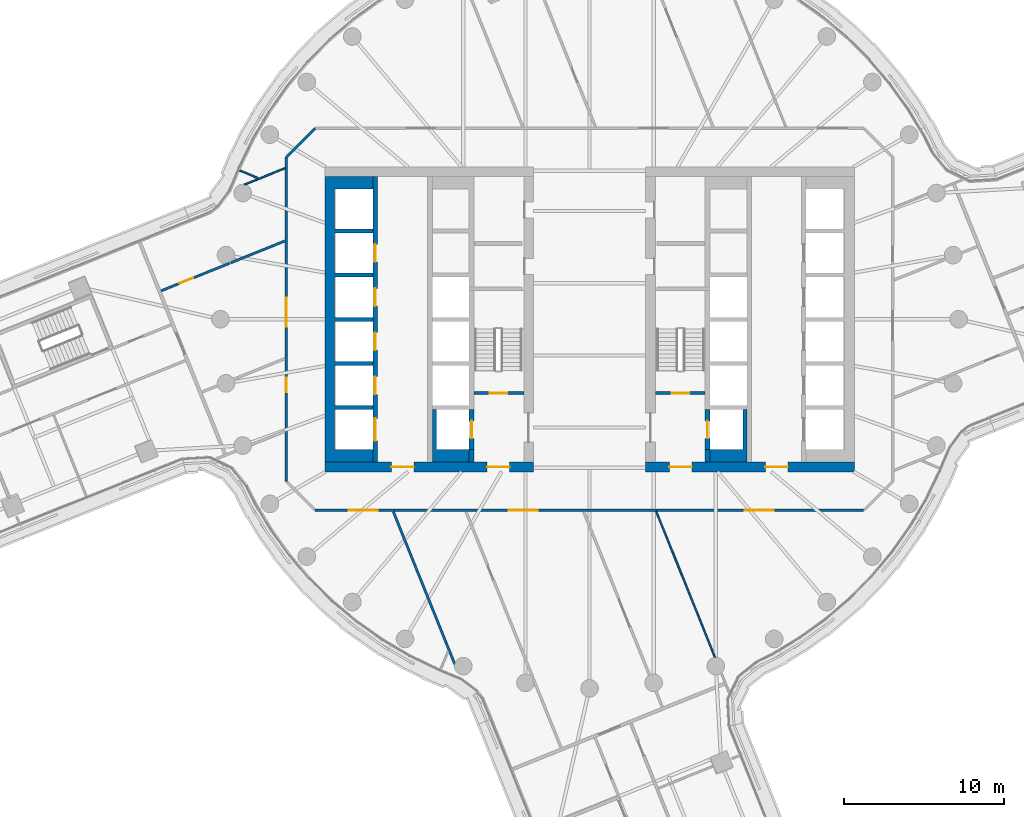
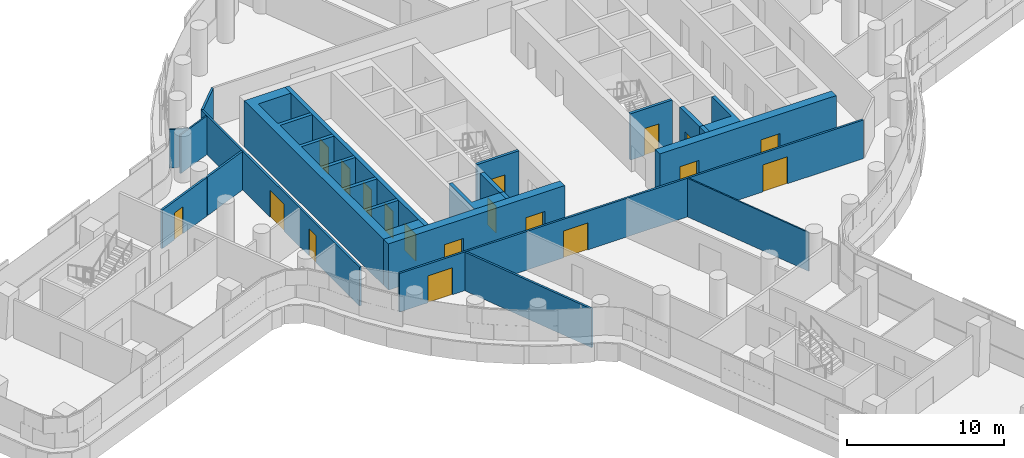
# One storey, part 21 of 32: 21 walls, 19 doors, 19 openings.
"""IFC4 building model written with IfcOpenShell, lengths in metres."""

from ifc_helpers import new_model, si_unit, direction, frame, frame_2d, origin, place, context, subcontext, project, spatial, polyline, rectangle, outline, extrude, material, layer, layer_set, type_object, element, fill, save


model = new_model("IFC4")

# Units and contexts
model_context = context("Model", 3, precision=1e-05, world=origin(), true_north=direction((0.0, 1.0)))
body_context = subcontext(model_context, "Body", "Model", "MODEL_VIEW")
ifc_project = project(units=[si_unit("LENGTHUNIT", "METRE"), si_unit("AREAUNIT", "SQUARE_METRE"), si_unit("VOLUMEUNIT", "CUBIC_METRE"), si_unit("PLANEANGLEUNIT", "RADIAN"), si_unit("MASSUNIT", "GRAM", prefix="KILO")], contexts=[model_context])

# Site, building, storey
site_placement = place(None, origin())
site = spatial("IfcSite", under=ifc_project, at=site_placement, CompositionType="ELEMENT")
building_placement = place(site_placement, origin())
building = spatial("IfcBuilding", under=site, at=building_placement, Name="Tamarind Cross Interchange Tower", CompositionType="ELEMENT")
storey_placement = place(building_placement, frame((0.0, 0.0, 113.5)))
storey = spatial("IfcBuildingStorey", under=building, at=storey_placement, Name="L27", CompositionType="ELEMENT", Elevation=113.5)

# Wall, openings, doors
ifc_material_1 = material(Name="Concrete C70", Category="concrete")
ifc_layer_1 = layer(ifc_material_1, 0.60009765625)
ifc_layer_set_1 = layer_set([ifc_layer_1], Name="Concrete C70")
wall_type_1 = type_object("IfcWallType", Name="Core wall 600 mm Concrete C70", PredefinedType="SHEAR", material=ifc_layer_set_1)
wall_1_placement = place(storey_placement, frame((-16.5, -9.199951171875, 0.0), z_axis=(0.0, 0.0, 1.0), x_axis=(1.0, 0.0, 0.0)))
wall_1 = element("IfcWall", 1, at=wall_1_placement, inside=storey, type_object=wall_type_1, Name="Core wall CWL-L27-W-S", PredefinedType="SHEAR", context=body_context, shape_type="SweptSolid", body=[
    extrude(rectangle(XDim=13.0, YDim=0.60009765625, at=frame_2d((6.5, 0.0))), origin(), (0.0, 0.0, 1.0), 3.610107421875),
])
opening_1_placement = place(wall_1_placement, frame((4.14990234375, 0.0, 0.0)))
opening_1 = element("IfcOpeningElement", 2, at=opening_1_placement, cuts=wall_1, Name="Opening DCW1", PredefinedType="OPENING", context=body_context, shape_type="SweptSolid", body=[
    extrude(rectangle(XDim=1.39990234375, YDim=2.10009765625, at=frame_2d((0.699951171875, 1.050048828125))), frame((0.0, 0.31005859375, 0.0), z_axis=(0.0, -1.0, 0.0), x_axis=(1.0, 0.0, 0.0)), (0.0, 0.0, 1.0), 0.6201171875),
])
opening_2_placement = place(wall_1_placement, frame((10.125, 0.0, 0.0)))
opening_2 = element("IfcOpeningElement", 3, at=opening_2_placement, cuts=wall_1, Name="Opening DCWF", PredefinedType="OPENING", context=body_context, shape_type="SweptSolid", body=[
    extrude(rectangle(XDim=1.39990234375, YDim=2.10009765625, at=frame_2d((0.699951171875, 1.050048828125))), frame((0.0, 0.31005859375, 0.0), z_axis=(0.0, -1.0, 0.0), x_axis=(1.0, 0.0, 0.0)), (0.0, 0.0, 1.0), 0.6201171875),
])
ifc_material_2 = material(Name="Steel, fire-resisting", Category="steel")
door_type_1 = type_object("IfcDoorType", Name="Core fire door 1400 x 2100 FD90", OperationType="SINGLE_SWING_LEFT", PredefinedType="DOOR", material=ifc_material_2)
door_1_placement = place(opening_1_placement, origin())
door_1 = element("IfcDoor", 4, at=door_1_placement, inside=storey, type_object=door_type_1, Name="L27 lift lobby door", OperationType="SINGLE_SWING_LEFT", OverallHeight=2.10009765625, OverallWidth=1.39990234375, PredefinedType="DOOR", context=body_context, shape_type="SweptSolid", body=[
    extrude(rectangle(XDim=1.39990234375, YDim=2.10009765625, at=frame_2d((0.699951171875, 1.050048828125))), frame((0.0, 0.02490234375, 0.0), z_axis=(0.0, -1.0, 0.0), x_axis=(1.0, 0.0, 0.0)), (0.0, 0.0, 1.0), 0.050048828125),
])
fill(opening_1, door_1)
door_2_placement = place(opening_2_placement, origin())
door_2 = element("IfcDoor", 5, at=door_2_placement, inside=storey, type_object=door_type_1, Name="L27 firefighting lobby end door", OperationType="SINGLE_SWING_LEFT", OverallHeight=2.10009765625, OverallWidth=1.39990234375, PredefinedType="DOOR", context=body_context, shape_type="SweptSolid", body=[
    extrude(rectangle(XDim=1.39990234375, YDim=2.10009765625, at=frame_2d((0.699951171875, 1.050048828125))), frame((0.0, 0.02490234375, 0.0), z_axis=(0.0, -1.0, 0.0), x_axis=(1.0, 0.0, 0.0)), (0.0, 0.0, 1.0), 0.050048828125),
])
fill(opening_2, door_2)

# Wall
wall_2_placement = place(storey_placement, origin())
element("IfcWall", 6, at=wall_2_placement, inside=storey, type_object=wall_type_1, Name="Core wall CWL-L27-W-A", PredefinedType="SHEAR", context=body_context, shape_type="SweptSolid", body=[
    extrude(outline(polyline([(-13.5, -8.89990234375), (-13.5, -8.125), (-15.89990234375, -8.125), (-15.89990234375, -5.625), (-13.5, -5.625), (-13.5, -5.375), (-15.89990234375, -5.375), (-15.89990234375, -2.875), (-13.5, -2.875), (-13.5, -2.625), (-15.89990234375, -2.625), (-15.89990234375, -0.125), (-13.5, -0.125), (-13.5, 0.125), (-15.89990234375, 0.125), (-15.89990234375, 2.625), (-13.5, 2.625), (-13.5, 2.875), (-15.89990234375, 2.875), (-15.89990234375, 5.375), (-13.5, 5.375), (-13.5, 5.625), (-15.89990234375, 5.625), (-15.89990234375, 8.125), (-13.5, 8.125), (-13.5, 8.89990234375), (-15.89990234375, 8.89990234375), (-16.5, 8.89990234375), (-16.5, -8.89990234375), (-15.89990234375, -8.89990234375), (-13.5, -8.89990234375)])), origin(), (0.0, 0.0, 1.0), 3.610107421875),
])

# Wall, openings, doors
wall_3_placement = place(storey_placement, frame((16.5, -9.199951171875, 0.0), z_axis=(0.0, 0.0, 1.0), x_axis=(-1.0, 0.0, 0.0)))
wall_3 = element("IfcWall", 7, at=wall_3_placement, inside=storey, type_object=wall_type_1, Name="Core wall CWL-L27-E-S", PredefinedType="SHEAR", context=body_context, shape_type="SweptSolid", body=[
    extrude(rectangle(XDim=13.0, YDim=0.60009765625, at=frame_2d((6.5, 0.0))), origin(), (0.0, 0.0, 1.0), 3.610107421875),
])
opening_3_placement = place(wall_3_placement, frame((4.14990234375, 0.0, 0.0)))
opening_3 = element("IfcOpeningElement", 8, at=opening_3_placement, cuts=wall_3, Name="Opening DCE1", PredefinedType="OPENING", context=body_context, shape_type="SweptSolid", body=[
    extrude(rectangle(XDim=1.39990234375, YDim=2.10009765625, at=frame_2d((0.699951171875, 1.050048828125))), frame((0.0, 0.31005859375, 0.0), z_axis=(0.0, -1.0, 0.0), x_axis=(1.0, 0.0, 0.0)), (0.0, 0.0, 1.0), 0.6201171875),
])
opening_4_placement = place(wall_3_placement, frame((10.125, 0.0, 0.0)))
opening_4 = element("IfcOpeningElement", 9, at=opening_4_placement, cuts=wall_3, Name="Opening DCEF", PredefinedType="OPENING", context=body_context, shape_type="SweptSolid", body=[
    extrude(rectangle(XDim=1.39990234375, YDim=2.10009765625, at=frame_2d((0.699951171875, 1.050048828125))), frame((0.0, 0.31005859375, 0.0), z_axis=(0.0, -1.0, 0.0), x_axis=(1.0, 0.0, 0.0)), (0.0, 0.0, 1.0), 0.6201171875),
])
door_3_placement = place(opening_3_placement, origin())
door_3 = element("IfcDoor", 10, at=door_3_placement, inside=storey, type_object=door_type_1, Name="L27 lift lobby door", OperationType="SINGLE_SWING_LEFT", OverallHeight=2.10009765625, OverallWidth=1.39990234375, PredefinedType="DOOR", context=body_context, shape_type="SweptSolid", body=[
    extrude(rectangle(XDim=1.39990234375, YDim=2.10009765625, at=frame_2d((0.699951171875, 1.050048828125))), frame((0.0, 0.02490234375, 0.0), z_axis=(0.0, -1.0, 0.0), x_axis=(1.0, 0.0, 0.0)), (0.0, 0.0, 1.0), 0.050048828125),
])
fill(opening_3, door_3)
door_4_placement = place(opening_4_placement, origin())
door_4 = element("IfcDoor", 11, at=door_4_placement, inside=storey, type_object=door_type_1, Name="L27 firefighting lobby end door", OperationType="SINGLE_SWING_LEFT", OverallHeight=2.10009765625, OverallWidth=1.39990234375, PredefinedType="DOOR", context=body_context, shape_type="SweptSolid", body=[
    extrude(rectangle(XDim=1.39990234375, YDim=2.10009765625, at=frame_2d((0.699951171875, 1.050048828125))), frame((0.0, 0.02490234375, 0.0), z_axis=(0.0, -1.0, 0.0), x_axis=(1.0, 0.0, 0.0)), (0.0, 0.0, 1.0), 0.050048828125),
])
fill(opening_4, door_4)

# Walls
ifc_layer_2 = layer(ifc_material_1, 0.300048828125)
ifc_layer_set_2 = layer_set([ifc_layer_2], Name="Concrete C70")
wall_type_2 = type_object("IfcWallType", Name="Core web wall 300 mm Concrete C70", PredefinedType="SHEAR", material=ifc_layer_set_2)
wall_4_placement = place(storey_placement, origin())
element("IfcWall", 12, at=wall_4_placement, inside=storey, type_object=wall_type_2, Name="Core wall CWL-L27-W-BS", PredefinedType="SHEAR", context=body_context, shape_type="SweptSolid", body=[
    extrude(outline(polyline([(-7.5, -8.125), (-9.550048828125, -8.125), (-9.550048828125, -5.625), (-9.800048828125, -5.625), (-9.800048828125, -8.125), (-9.800048828125, -8.89990234375), (-7.5, -8.89990234375), (-7.5, -8.125)])), origin(), (0.0, 0.0, 1.0), 3.610107421875),
])
wall_5_placement = place(storey_placement, frame((-7.35009765625, -8.89990234375, 0.0), z_axis=(0.0, 0.0, 1.0), x_axis=(0.0, 1.0, 0.0)))
element("IfcWall", 13, at=wall_5_placement, inside=storey, type_object=wall_type_2, Name="Core wall CWL-L27-W-BW", PredefinedType="SHEAR", context=body_context, shape_type="SweptSolid", body=[
    extrude(rectangle(XDim=0.77490234375, YDim=0.300048828125, at=frame_2d((0.387451171875, 0.0))), origin(), (0.0, 0.0, 1.0), 3.610107421875),
])

# Wall, openings, doors
wall_6_placement = place(storey_placement, frame((-13.35009765625, -8.89990234375, 0.0), z_axis=(0.0, 0.0, 1.0), x_axis=(0.0, 1.0, 0.0)))
wall_6 = element("IfcWall", 14, at=wall_6_placement, inside=storey, type_object=wall_type_2, Name="Core wall CWL-L27-W-LA", PredefinedType="SHEAR", context=body_context, shape_type="SweptSolid", body=[
    extrude(rectangle(XDim=17.7998046875, YDim=0.300048828125, at=frame_2d((8.89990234375, 0.0))), origin(), (0.0, 0.0, 1.0), 3.610107421875),
])
opening_5_placement = place(wall_6_placement, frame((1.324951171875, 0.0, 0.0)))
opening_5 = element("IfcOpeningElement", 15, at=opening_5_placement, cuts=wall_6, Name="Opening LD1L27", PredefinedType="OPENING", context=body_context, shape_type="SweptSolid", body=[
    extrude(rectangle(XDim=1.39990234375, YDim=2.10009765625, at=frame_2d((0.699951171875, 1.050048828125))), frame((0.0, 0.159912109375, 0.0), z_axis=(0.0, -1.0, 0.0), x_axis=(1.0, 0.0, 0.0)), (0.0, 0.0, 1.0), 0.320068359375),
])
opening_6_placement = place(wall_6_placement, frame((4.22509765625, 0.0, 0.0)))
opening_6 = element("IfcOpeningElement", 16, at=opening_6_placement, cuts=wall_6, Name="Opening LD2L27", PredefinedType="OPENING", context=body_context, shape_type="SweptSolid", body=[
    extrude(rectangle(XDim=1.10009765625, YDim=2.10009765625, at=frame_2d((0.550048828125, 1.050048828125))), frame((0.0, 0.159912109375, 0.0), z_axis=(0.0, -1.0, 0.0), x_axis=(1.0, 0.0, 0.0)), (0.0, 0.0, 1.0), 0.320068359375),
])
opening_7_placement = place(wall_6_placement, frame((6.97509765625, 0.0, 0.0)))
opening_7 = element("IfcOpeningElement", 17, at=opening_7_placement, cuts=wall_6, Name="Opening LD3L27", PredefinedType="OPENING", context=body_context, shape_type="SweptSolid", body=[
    extrude(rectangle(XDim=1.10009765625, YDim=2.10009765625, at=frame_2d((0.550048828125, 1.050048828125))), frame((0.0, 0.159912109375, 0.0), z_axis=(0.0, -1.0, 0.0), x_axis=(1.0, 0.0, 0.0)), (0.0, 0.0, 1.0), 0.320068359375),
])
opening_8_placement = place(wall_6_placement, frame((9.72509765625, 0.0, 0.0)))
opening_8 = element("IfcOpeningElement", 18, at=opening_8_placement, cuts=wall_6, Name="Opening LD4L27", PredefinedType="OPENING", context=body_context, shape_type="SweptSolid", body=[
    extrude(rectangle(XDim=1.10009765625, YDim=2.10009765625, at=frame_2d((0.550048828125, 1.050048828125))), frame((0.0, 0.159912109375, 0.0), z_axis=(0.0, -1.0, 0.0), x_axis=(1.0, 0.0, 0.0)), (0.0, 0.0, 1.0), 0.320068359375),
])
opening_9_placement = place(wall_6_placement, frame((12.47509765625, 0.0, 0.0)))
opening_9 = element("IfcOpeningElement", 19, at=opening_9_placement, cuts=wall_6, Name="Opening LD5L27", PredefinedType="OPENING", context=body_context, shape_type="SweptSolid", body=[
    extrude(rectangle(XDim=1.10009765625, YDim=2.10009765625, at=frame_2d((0.550048828125, 1.050048828125))), frame((0.0, 0.159912109375, 0.0), z_axis=(0.0, -1.0, 0.0), x_axis=(1.0, 0.0, 0.0)), (0.0, 0.0, 1.0), 0.320068359375),
])
ifc_material_3 = material(Name="Stainless steel panel", Category="steel")
door_type_2 = type_object("IfcDoorType", Name="Lift landing door 1100 x 2100 E 120", OperationType="SLIDING_TO_LEFT", PredefinedType="DOOR", material=ifc_material_3)
door_5_placement = place(opening_6_placement, origin())
door_5 = element("IfcDoor", 20, at=door_5_placement, inside=storey, type_object=door_type_2, Name="L27 landing door LF2", OperationType="SLIDING_TO_LEFT", OverallHeight=2.10009765625, OverallWidth=1.10009765625, PredefinedType="DOOR", context=body_context, shape_type="SweptSolid", body=[
    extrude(rectangle(XDim=1.10009765625, YDim=2.10009765625, at=frame_2d((0.550048828125, 1.050048828125))), frame((0.0, 0.02490234375, 0.0), z_axis=(0.0, -1.0, 0.0), x_axis=(1.0, 0.0, 0.0)), (0.0, 0.0, 1.0), 0.050048828125),
])
fill(opening_6, door_5)
door_6_placement = place(opening_7_placement, origin())
door_6 = element("IfcDoor", 21, at=door_6_placement, inside=storey, type_object=door_type_2, Name="L27 landing door LF3", OperationType="SLIDING_TO_LEFT", OverallHeight=2.10009765625, OverallWidth=1.10009765625, PredefinedType="DOOR", context=body_context, shape_type="SweptSolid", body=[
    extrude(rectangle(XDim=1.10009765625, YDim=2.10009765625, at=frame_2d((0.550048828125, 1.050048828125))), frame((0.0, 0.02490234375, 0.0), z_axis=(0.0, -1.0, 0.0), x_axis=(1.0, 0.0, 0.0)), (0.0, 0.0, 1.0), 0.050048828125),
])
fill(opening_7, door_6)
door_7_placement = place(opening_8_placement, origin())
door_7 = element("IfcDoor", 22, at=door_7_placement, inside=storey, type_object=door_type_2, Name="L27 landing door LF4", OperationType="SLIDING_TO_LEFT", OverallHeight=2.10009765625, OverallWidth=1.10009765625, PredefinedType="DOOR", context=body_context, shape_type="SweptSolid", body=[
    extrude(rectangle(XDim=1.10009765625, YDim=2.10009765625, at=frame_2d((0.550048828125, 1.050048828125))), frame((0.0, 0.02490234375, 0.0), z_axis=(0.0, -1.0, 0.0), x_axis=(1.0, 0.0, 0.0)), (0.0, 0.0, 1.0), 0.050048828125),
])
fill(opening_8, door_7)
door_8_placement = place(opening_9_placement, origin())
door_8 = element("IfcDoor", 23, at=door_8_placement, inside=storey, type_object=door_type_2, Name="L27 landing door LF5", OperationType="SLIDING_TO_LEFT", OverallHeight=2.10009765625, OverallWidth=1.10009765625, PredefinedType="DOOR", context=body_context, shape_type="SweptSolid", body=[
    extrude(rectangle(XDim=1.10009765625, YDim=2.10009765625, at=frame_2d((0.550048828125, 1.050048828125))), frame((0.0, 0.02490234375, 0.0), z_axis=(0.0, -1.0, 0.0), x_axis=(1.0, 0.0, 0.0)), (0.0, 0.0, 1.0), 0.050048828125),
])
fill(opening_9, door_8)
door_type_3 = type_object("IfcDoorType", Name="Lift landing door 1400 x 2100 E 120", OperationType="SLIDING_TO_LEFT", PredefinedType="DOOR", material=ifc_material_3)
door_9_placement = place(opening_5_placement, origin())
door_9 = element("IfcDoor", 24, at=door_9_placement, inside=storey, type_object=door_type_3, Name="L27 landing door LF1", OperationType="SLIDING_TO_LEFT", OverallHeight=2.10009765625, OverallWidth=1.39990234375, PredefinedType="DOOR", context=body_context, shape_type="SweptSolid", body=[
    extrude(rectangle(XDim=1.39990234375, YDim=2.10009765625, at=frame_2d((0.699951171875, 1.050048828125))), frame((0.0, 0.02490234375, 0.0), z_axis=(0.0, -1.0, 0.0), x_axis=(1.0, 0.0, 0.0)), (0.0, 0.0, 1.0), 0.050048828125),
])
fill(opening_5, door_9)

# Wall, opening, door
wall_7_placement = place(storey_placement, frame((-7.35009765625, -8.125, 0.0), z_axis=(0.0, 0.0, 1.0), x_axis=(0.0, 1.0, 0.0)))
wall_7 = element("IfcWall", 25, at=wall_7_placement, inside=storey, type_object=wall_type_2, Name="Core wall CWL-L27-W-FF", PredefinedType="SHEAR", context=body_context, shape_type="SweptSolid", body=[
    extrude(rectangle(XDim=2.5, YDim=0.300048828125, at=frame_2d((1.25, 0.0))), origin(), (0.0, 0.0, 1.0), 3.610107421875),
])
opening_10_placement = place(wall_7_placement, frame((0.699951171875, 0.0, 0.0)))
opening_10 = element("IfcOpeningElement", 26, at=opening_10_placement, cuts=wall_7, Name="Opening LD7L27", PredefinedType="OPENING", context=body_context, shape_type="SweptSolid", body=[
    extrude(rectangle(XDim=1.10009765625, YDim=2.10009765625, at=frame_2d((0.550048828125, 1.050048828125))), frame((0.0, 0.159912109375, 0.0), z_axis=(0.0, -1.0, 0.0), x_axis=(1.0, 0.0, 0.0)), (0.0, 0.0, 1.0), 0.320068359375),
])
door_10_placement = place(opening_10_placement, origin())
door_10 = element("IfcDoor", 27, at=door_10_placement, inside=storey, type_object=door_type_2, Name="L27 landing door LF7", OperationType="SLIDING_TO_LEFT", OverallHeight=2.10009765625, OverallWidth=1.10009765625, PredefinedType="DOOR", context=body_context, shape_type="SweptSolid", body=[
    extrude(rectangle(XDim=1.10009765625, YDim=2.10009765625, at=frame_2d((0.550048828125, 1.050048828125))), frame((0.0, 0.02490234375, 0.0), z_axis=(0.0, -1.0, 0.0), x_axis=(1.0, 0.0, 0.0)), (0.0, 0.0, 1.0), 0.050048828125),
])
fill(opening_10, door_10)

# Walls
wall_8_placement = place(storey_placement, origin())
element("IfcWall", 28, at=wall_8_placement, inside=storey, type_object=wall_type_2, Name="Core wall CWL-L27-E-BS", PredefinedType="SHEAR", context=body_context, shape_type="SweptSolid", body=[
    extrude(outline(polyline([(7.5, -8.125), (7.5, -8.89990234375), (9.800048828125, -8.89990234375), (9.800048828125, -8.125), (9.800048828125, -5.625), (9.550048828125, -5.625), (9.550048828125, -8.125), (7.5, -8.125)])), origin(), (0.0, 0.0, 1.0), 3.610107421875),
])
wall_9_placement = place(storey_placement, frame((7.35009765625, -8.89990234375, 0.0), z_axis=(0.0, 0.0, 1.0), x_axis=(0.0, 1.0, 0.0)))
element("IfcWall", 29, at=wall_9_placement, inside=storey, type_object=wall_type_2, Name="Core wall CWL-L27-E-BW", PredefinedType="SHEAR", context=body_context, shape_type="SweptSolid", body=[
    extrude(rectangle(XDim=0.77490234375, YDim=0.300048828125, at=frame_2d((0.387451171875, 0.0))), origin(), (0.0, 0.0, 1.0), 3.610107421875),
])

# Wall, opening, door
wall_10_placement = place(storey_placement, frame((7.35009765625, -8.125, 0.0), z_axis=(0.0, 0.0, 1.0), x_axis=(0.0, 1.0, 0.0)))
wall_10 = element("IfcWall", 30, at=wall_10_placement, inside=storey, type_object=wall_type_2, Name="Core wall CWL-L27-E-FF", PredefinedType="SHEAR", context=body_context, shape_type="SweptSolid", body=[
    extrude(rectangle(XDim=2.5, YDim=0.300048828125, at=frame_2d((1.25, 0.0))), origin(), (0.0, 0.0, 1.0), 3.610107421875),
])
opening_11_placement = place(wall_10_placement, frame((0.699951171875, 0.0, 0.0)))
opening_11 = element("IfcOpeningElement", 31, at=opening_11_placement, cuts=wall_10, Name="Opening LD19L27", PredefinedType="OPENING", context=body_context, shape_type="SweptSolid", body=[
    extrude(rectangle(XDim=1.10009765625, YDim=2.10009765625, at=frame_2d((0.550048828125, 1.050048828125))), frame((0.0, 0.159912109375, 0.0), z_axis=(0.0, -1.0, 0.0), x_axis=(1.0, 0.0, 0.0)), (0.0, 0.0, 1.0), 0.320068359375),
])
door_11_placement = place(opening_11_placement, origin())
door_11 = element("IfcDoor", 32, at=door_11_placement, inside=storey, type_object=door_type_2, Name="L27 landing door LF19", OperationType="SLIDING_TO_LEFT", OverallHeight=2.10009765625, OverallWidth=1.10009765625, PredefinedType="DOOR", context=body_context, shape_type="SweptSolid", body=[
    extrude(rectangle(XDim=1.10009765625, YDim=2.10009765625, at=frame_2d((0.550048828125, 1.050048828125))), frame((0.0, 0.02490234375, 0.0), z_axis=(0.0, -1.0, 0.0), x_axis=(1.0, 0.0, 0.0)), (0.0, 0.0, 1.0), 0.050048828125),
])
fill(opening_11, door_11)

# Walls
ifc_material_4 = material(Name="Gypsum board partition on steel studs", Category="steel")
ifc_layer_3 = layer(ifc_material_4, 0.10009765625)
ifc_layer_set_3 = layer_set([ifc_layer_3], Name="Gypsum board partition on steel studs")
wall_type_3 = type_object("IfcWallType", Name="Partition 100 mm EI 90", PredefinedType="PARTITIONING", material=ifc_layer_set_3)
wall_11_placement = place(storey_placement, frame((4.15478515625, -11.97412109375, 0.0), z_axis=(0.0, 0.0, 1.0), x_axis=(0.373614117472, -0.927584223252, 0.0)))
element("IfcWall", 33, at=wall_11_placement, inside=storey, type_object=wall_type_3, Name="Partition L27-025", PredefinedType="PARTITIONING", context=body_context, shape_type="SweptSolid", body=[
    extrude(rectangle(XDim=9.8017578125, YDim=0.10009765625, at=frame_2d((4.90087890625, 0.0))), origin(), (0.0, 0.0, 1.0), 3.010009765625),
])
wall_12_placement = place(storey_placement, frame((-21.800048828125, 9.280517578125, 0.0), z_axis=(0.0, 0.0, 1.0), x_axis=(0.919919713951, -0.392106771025, 0.0)))
element("IfcWall", 34, at=wall_12_placement, inside=storey, type_object=wall_type_3, Name="Partition L27-039", PredefinedType="PARTITIONING", context=body_context, shape_type="SweptSolid", body=[
    extrude(rectangle(XDim=1.2197265625, YDim=0.10009765625, at=frame_2d((0.60986328125, 0.0))), origin(), (0.0, 0.0, 1.0), 3.010009765625),
])
wall_13_placement = place(storey_placement, frame((-21.497802734375, 8.3955078125, 0.0), z_axis=(0.0, 0.0, 1.0), x_axis=(0.927570424406, 0.373648374502, 0.0)))
element("IfcWall", 35, at=wall_13_placement, inside=storey, type_object=wall_type_3, Name="Partition L27-052", PredefinedType="PARTITIONING", context=body_context, shape_type="SweptSolid", body=[
    extrude(rectangle(XDim=2.720703125, YDim=0.10009765625, at=frame_2d((1.3603515625, 0.0))), origin(), (0.0, 0.0, 1.0), 3.010009765625),
])
ifc_layer_4 = layer(ifc_material_4, 0.14990234375)
ifc_layer_set_4 = layer_set([ifc_layer_4], Name="Gypsum board partition on steel studs")
wall_type_4 = type_object("IfcWallType", Name="Partition 150 mm EI 120", PredefinedType="PARTITIONING", material=ifc_layer_set_4)
wall_14_placement = place(storey_placement, frame((-12.228515625, -11.9833984375, 0.0), z_axis=(0.0, 0.0, 1.0), x_axis=(0.373679389849, -0.927557930052, 0.0)))
element("IfcWall", 36, at=wall_14_placement, inside=storey, type_object=wall_type_4, Name="Partition L27-006", PredefinedType="PARTITIONING", context=body_context, shape_type="SweptSolid", body=[
    extrude(rectangle(XDim=10.257568359375, YDim=0.14990234375, at=frame_2d((5.12890625, 0.0))), origin(), (0.0, 0.0, 1.0), 3.010009765625),
])

# Wall, openings, doors
wall_15_placement = place(storey_placement, frame((-17.10009765625, -11.89990234375, 0.0), z_axis=(0.0, 0.0, 1.0), x_axis=(1.0, 0.0, 0.0)))
wall_15 = element("IfcWall", 37, at=wall_15_placement, inside=storey, type_object=wall_type_4, Name="Partition L27-041", PredefinedType="PARTITIONING", context=body_context, shape_type="SweptSolid", body=[
    extrude(rectangle(XDim=34.1650390625, YDim=0.14990234375, at=frame_2d((17.08251953125, 0.0))), origin(), (0.0, 0.0, 1.0), 3.010009765625),
])
opening_12_placement = place(wall_15_placement, frame((12.06591796875, 0.0, 0.0)))
opening_12 = element("IfcOpeningElement", 38, at=opening_12_placement, cuts=wall_15, Name="Opening D20", PredefinedType="OPENING", context=body_context, shape_type="SweptSolid", body=[
    extrude(rectangle(XDim=1.800048828125, YDim=2.10009765625, at=frame_2d((0.89990234375, 1.050048828125))), frame((0.0, 0.0849609375, 0.0), z_axis=(0.0, -1.0, 0.0), x_axis=(1.0, 0.0, 0.0)), (0.0, 0.0, 1.0), 0.169921875),
])
opening_13_placement = place(wall_15_placement, frame((2.10009765625, 0.0, 0.0)))
opening_13 = element("IfcOpeningElement", 39, at=opening_13_placement, cuts=wall_15, Name="Opening D21", PredefinedType="OPENING", context=body_context, shape_type="SweptSolid", body=[
    extrude(rectangle(XDim=1.800048828125, YDim=2.10009765625, at=frame_2d((0.89990234375, 1.050048828125))), frame((0.0, 0.0849609375, 0.0), z_axis=(0.0, -1.0, 0.0), x_axis=(1.0, 0.0, 0.0)), (0.0, 0.0, 1.0), 0.169921875),
])
opening_14_placement = place(wall_15_placement, frame((26.77490234375, 0.0, 0.0)))
opening_14 = element("IfcOpeningElement", 40, at=opening_14_placement, cuts=wall_15, Name="Opening D22", PredefinedType="OPENING", context=body_context, shape_type="SweptSolid", body=[
    extrude(rectangle(XDim=1.800048828125, YDim=2.10009765625, at=frame_2d((0.89990234375, 1.050048828125))), frame((0.0, 0.0849609375, 0.0), z_axis=(0.0, -1.0, 0.0), x_axis=(1.0, 0.0, 0.0)), (0.0, 0.0, 1.0), 0.169921875),
])
ifc_material_5 = material(Name="Fire-resisting door set")
door_type_4 = type_object("IfcDoorType", Name="Interior door 1800 x 2100 FD60S", OperationType="DOUBLE_DOOR_SINGLE_SWING", PredefinedType="DOOR", material=ifc_material_5)
door_12_placement = place(opening_12_placement, origin())
door_12 = element("IfcDoor", 41, at=door_12_placement, inside=storey, type_object=door_type_4, Name="Door D20", OperationType="DOUBLE_DOOR_SINGLE_SWING", OverallHeight=2.10009765625, OverallWidth=1.800048828125, PredefinedType="DOOR", context=body_context, shape_type="SweptSolid", body=[
    extrude(rectangle(XDim=1.800048828125, YDim=2.10009765625, at=frame_2d((0.89990234375, 1.050048828125))), frame((0.0, 0.02490234375, 0.0), z_axis=(0.0, -1.0, 0.0), x_axis=(1.0, 0.0, 0.0)), (0.0, 0.0, 1.0), 0.050048828125),
])
fill(opening_12, door_12)
door_13_placement = place(opening_13_placement, frame((1.800048828125, 0.0, 0.0), z_axis=(0.0, 0.0, 1.0), x_axis=(-1.0, 0.0, 0.0)))
door_13 = element("IfcDoor", 42, at=door_13_placement, inside=storey, type_object=door_type_4, Name="Door D21", OperationType="DOUBLE_DOOR_SINGLE_SWING", OverallHeight=2.10009765625, OverallWidth=1.800048828125, PredefinedType="DOOR", context=body_context, shape_type="SweptSolid", body=[
    extrude(rectangle(XDim=1.800048828125, YDim=2.10009765625, at=frame_2d((0.89990234375, 1.050048828125))), frame((0.0, 0.02490234375, 0.0), z_axis=(0.0, -1.0, 0.0), x_axis=(1.0, 0.0, 0.0)), (0.0, 0.0, 1.0), 0.050048828125),
])
fill(opening_13, door_13)
door_14_placement = place(opening_14_placement, frame((1.800048828125, 0.0, 0.0), z_axis=(0.0, 0.0, 1.0), x_axis=(-1.0, 0.0, 0.0)))
door_14 = element("IfcDoor", 43, at=door_14_placement, inside=storey, type_object=door_type_4, Name="Door D22", OperationType="DOUBLE_DOOR_SINGLE_SWING", OverallHeight=2.10009765625, OverallWidth=1.800048828125, PredefinedType="DOOR", context=body_context, shape_type="SweptSolid", body=[
    extrude(rectangle(XDim=1.800048828125, YDim=2.10009765625, at=frame_2d((0.89990234375, 1.050048828125))), frame((0.0, 0.02490234375, 0.0), z_axis=(0.0, -1.0, 0.0), x_axis=(1.0, 0.0, 0.0)), (0.0, 0.0, 1.0), 0.050048828125),
])
fill(opening_14, door_14)

# Wall, opening, door
wall_16_placement = place(storey_placement, frame((-26.7021484375, 1.771484375, 0.0), z_axis=(0.0, 0.0, 1.0), x_axis=(0.92759802507, 0.373579849412, 0.0)))
wall_16 = element("IfcWall", 44, at=wall_16_placement, inside=storey, type_object=wall_type_4, Name="Partition L27-046", PredefinedType="PARTITIONING", context=body_context, shape_type="SweptSolid", body=[
    extrude(rectangle(XDim=4.612548828125, YDim=0.14990234375, at=frame_2d((2.30615234375, 0.0))), origin(), (0.0, 0.0, 1.0), 3.010009765625),
])
opening_15_placement = place(wall_16_placement, frame((1.25, 0.0, 0.0)))
opening_15 = element("IfcOpeningElement", 45, at=opening_15_placement, cuts=wall_16, Name="Opening D29", PredefinedType="OPENING", context=body_context, shape_type="SweptSolid", body=[
    extrude(rectangle(XDim=0.89990234375, YDim=2.10009765625, at=frame_2d((0.449951171875, 1.050048828125))), frame((0.0, 0.0849609375, 0.0), z_axis=(0.0, -1.0, 0.0), x_axis=(1.0, 0.0, 0.0)), (0.0, 0.0, 1.0), 0.169921875),
])
door_type_5 = type_object("IfcDoorType", Name="Interior door 900 x 2100 FD60S", OperationType="SINGLE_SWING_LEFT", PredefinedType="DOOR", material=ifc_material_5)
door_15_placement = place(opening_15_placement, origin())
door_15 = element("IfcDoor", 46, at=door_15_placement, inside=storey, type_object=door_type_5, Name="Door D29", OperationType="SINGLE_SWING_RIGHT", OverallHeight=2.10009765625, OverallWidth=0.89990234375, PredefinedType="DOOR", context=body_context, shape_type="SweptSolid", body=[
    extrude(rectangle(XDim=0.89990234375, YDim=2.10009765625, at=frame_2d((0.449951171875, 1.050048828125))), frame((0.0, 0.02490234375, 0.0), z_axis=(0.0, -1.0, 0.0), x_axis=(1.0, 0.0, 0.0)), (0.0, 0.0, 1.0), 0.050048828125),
])
fill(opening_15, door_15)

# Walls
wall_17_placement = place(storey_placement, frame((-22.358642578125, 3.52099609375, 0.0), z_axis=(0.0, 0.0, 1.0), x_axis=(0.927594907251, 0.373587590855, 0.0)))
element("IfcWall", 47, at=wall_17_placement, inside=storey, type_object=wall_type_4, Name="Partition L27-047", PredefinedType="PARTITIONING", context=body_context, shape_type="SweptSolid", body=[
    extrude(rectangle(XDim=3.638671875, YDim=0.14990234375, at=frame_2d((1.8193359375, 0.0))), origin(), (0.0, 0.0, 1.0), 3.010009765625),
])
wall_18_placement = place(storey_placement, frame((-18.87158203125, 10.12841796875, 0.0), z_axis=(0.0, 0.0, 1.0), x_axis=(0.707106781187, 0.707106781187, 0.0)))
element("IfcWall", 48, at=wall_18_placement, inside=storey, type_object=wall_type_4, Name="Partition L27-078", PredefinedType="PARTITIONING", context=body_context, shape_type="SweptSolid", body=[
    extrude(rectangle(XDim=2.50537109375, YDim=0.14990234375, at=frame_2d((1.252685546875, 0.0))), origin(), (0.0, 0.0, 1.0), 3.010009765625),
])

# Wall, openings, doors
wall_19_placement = place(storey_placement, frame((-18.89990234375, -10.10009765625, 0.0), z_axis=(0.0, 0.0, 1.0), x_axis=(0.0, 1.0, 0.0)))
wall_19 = element("IfcWall", 49, at=wall_19_placement, inside=storey, type_object=wall_type_4, Name="Partition L27-082", PredefinedType="PARTITIONING", context=body_context, shape_type="SweptSolid", body=[
    extrude(rectangle(XDim=20.2001953125, YDim=0.14990234375, at=frame_2d((10.10009765625, 0.0))), origin(), (0.0, 0.0, 1.0), 3.010009765625),
])
opening_16_placement = place(wall_19_placement, frame((9.633056640625, 0.0, 0.0)))
opening_16 = element("IfcOpeningElement", 50, at=opening_16_placement, cuts=wall_19, Name="Opening D41", PredefinedType="OPENING", context=body_context, shape_type="SweptSolid", body=[
    extrude(rectangle(XDim=1.800048828125, YDim=2.10009765625, at=frame_2d((0.89990234375, 1.050048828125))), frame((0.0, 0.0849609375, 0.0), z_axis=(0.0, -1.0, 0.0), x_axis=(1.0, 0.0, 0.0)), (0.0, 0.0, 1.0), 0.169921875),
])
opening_17_placement = place(wall_19_placement, frame((5.554931640625, 0.0, 0.0)))
opening_17 = element("IfcOpeningElement", 51, at=opening_17_placement, cuts=wall_19, Name="Opening D42", PredefinedType="OPENING", context=body_context, shape_type="SweptSolid", body=[
    extrude(rectangle(XDim=0.89990234375, YDim=2.10009765625, at=frame_2d((0.449951171875, 1.050048828125))), frame((0.0, 0.0849609375, 0.0), z_axis=(0.0, -1.0, 0.0), x_axis=(1.0, 0.0, 0.0)), (0.0, 0.0, 1.0), 0.169921875),
])
door_16_placement = place(opening_16_placement, frame((1.800048828125, 0.0, 0.0), z_axis=(0.0, 0.0, 1.0), x_axis=(-1.0, 0.0, 0.0)))
door_16 = element("IfcDoor", 52, at=door_16_placement, inside=storey, type_object=door_type_4, Name="Door D41", OperationType="DOUBLE_DOOR_SINGLE_SWING", OverallHeight=2.10009765625, OverallWidth=1.800048828125, PredefinedType="DOOR", context=body_context, shape_type="SweptSolid", body=[
    extrude(rectangle(XDim=1.800048828125, YDim=2.10009765625, at=frame_2d((0.89990234375, 1.050048828125))), frame((0.0, 0.02490234375, 0.0), z_axis=(0.0, -1.0, 0.0), x_axis=(1.0, 0.0, 0.0)), (0.0, 0.0, 1.0), 0.050048828125),
])
fill(opening_16, door_16)
door_17_placement = place(opening_17_placement, origin())
door_17 = element("IfcDoor", 53, at=door_17_placement, inside=storey, type_object=door_type_5, Name="Door D42", OperationType="SINGLE_SWING_RIGHT", OverallHeight=2.10009765625, OverallWidth=0.89990234375, PredefinedType="DOOR", context=body_context, shape_type="SweptSolid", body=[
    extrude(rectangle(XDim=0.89990234375, YDim=2.10009765625, at=frame_2d((0.449951171875, 1.050048828125))), frame((0.0, 0.02490234375, 0.0), z_axis=(0.0, -1.0, 0.0), x_axis=(1.0, 0.0, 0.0)), (0.0, 0.0, 1.0), 0.050048828125),
])
fill(opening_17, door_17)

# Wall, opening, door
ifc_material_6 = material(Name="Concrete C40", Category="concrete")
ifc_layer_5 = layer(ifc_material_6, 0.199951171875)
ifc_layer_set_5 = layer_set([ifc_layer_5], Name="Concrete C40")
wall_type_5 = type_object("IfcWallType", Name="Stair shaft wall 200 mm Concrete C40", PredefinedType="SHEAR", material=ifc_layer_set_5)
wall_20_placement = place(storey_placement, frame((-7.199951171875, -4.60009765625, 0.0), z_axis=(0.0, 0.0, 1.0), x_axis=(1.0, 0.0, 0.0)))
wall_20 = element("IfcWall", 54, at=wall_20_placement, inside=storey, type_object=wall_type_5, Name="Core wall CWL-L27-W-SD", PredefinedType="SHEAR", context=body_context, shape_type="SweptSolid", body=[
    extrude(rectangle(XDim=3.099853515625, YDim=0.199951171875, at=frame_2d((1.5498046875, 0.0))), origin(), (0.0, 0.0, 1.0), 3.610107421875),
])
opening_18_placement = place(wall_20_placement, frame((0.97509765625, 0.0, 0.0)))
opening_18 = element("IfcOpeningElement", 55, at=opening_18_placement, cuts=wall_20, Name="Opening DCW6", PredefinedType="OPENING", context=body_context, shape_type="SweptSolid", body=[
    extrude(rectangle(XDim=1.10009765625, YDim=2.10009765625, at=frame_2d((0.550048828125, 1.050048828125))), frame((0.0, 0.10986328125, 0.0), z_axis=(0.0, -1.0, 0.0), x_axis=(1.0, 0.0, 0.0)), (0.0, 0.0, 1.0), 0.219970703125),
])
door_type_6 = type_object("IfcDoorType", Name="Core fire door 1100 x 2100 FD90", OperationType="SINGLE_SWING_LEFT", PredefinedType="DOOR", material=ifc_material_2)
door_18_placement = place(opening_18_placement, origin())
door_18 = element("IfcDoor", 56, at=door_18_placement, inside=storey, type_object=door_type_6, Name="L27 stair door", OperationType="SINGLE_SWING_LEFT", OverallHeight=2.10009765625, OverallWidth=1.10009765625, PredefinedType="DOOR", context=body_context, shape_type="SweptSolid", body=[
    extrude(rectangle(XDim=1.10009765625, YDim=2.10009765625, at=frame_2d((0.550048828125, 1.050048828125))), frame((0.0, 0.02490234375, 0.0), z_axis=(0.0, -1.0, 0.0), x_axis=(1.0, 0.0, 0.0)), (0.0, 0.0, 1.0), 0.050048828125),
])
fill(opening_18, door_18)

wall_21_placement = place(storey_placement, frame((7.199951171875, -4.60009765625, 0.0), z_axis=(0.0, 0.0, 1.0), x_axis=(-1.0, 0.0, 0.0)))
wall_21 = element("IfcWall", 57, at=wall_21_placement, inside=storey, type_object=wall_type_5, Name="Core wall CWL-L27-E-SD", PredefinedType="SHEAR", context=body_context, shape_type="SweptSolid", body=[
    extrude(rectangle(XDim=3.099853515625, YDim=0.199951171875, at=frame_2d((1.5498046875, 0.0))), origin(), (0.0, 0.0, 1.0), 3.610107421875),
])
opening_19_placement = place(wall_21_placement, frame((0.97509765625, 0.0, 0.0)))
opening_19 = element("IfcOpeningElement", 58, at=opening_19_placement, cuts=wall_21, Name="Opening DCE6", PredefinedType="OPENING", context=body_context, shape_type="SweptSolid", body=[
    extrude(rectangle(XDim=1.10009765625, YDim=2.10009765625, at=frame_2d((0.550048828125, 1.050048828125))), frame((0.0, 0.10986328125, 0.0), z_axis=(0.0, -1.0, 0.0), x_axis=(1.0, 0.0, 0.0)), (0.0, 0.0, 1.0), 0.219970703125),
])
door_19_placement = place(opening_19_placement, origin())
door_19 = element("IfcDoor", 59, at=door_19_placement, inside=storey, type_object=door_type_6, Name="L27 stair door", OperationType="SINGLE_SWING_LEFT", OverallHeight=2.10009765625, OverallWidth=1.10009765625, PredefinedType="DOOR", context=body_context, shape_type="SweptSolid", body=[
    extrude(rectangle(XDim=1.10009765625, YDim=2.10009765625, at=frame_2d((0.550048828125, 1.050048828125))), frame((0.0, 0.02490234375, 0.0), z_axis=(0.0, -1.0, 0.0), x_axis=(1.0, 0.0, 0.0)), (0.0, 0.0, 1.0), 0.050048828125),
])
fill(opening_19, door_19)

save(model, "model.ifc")
